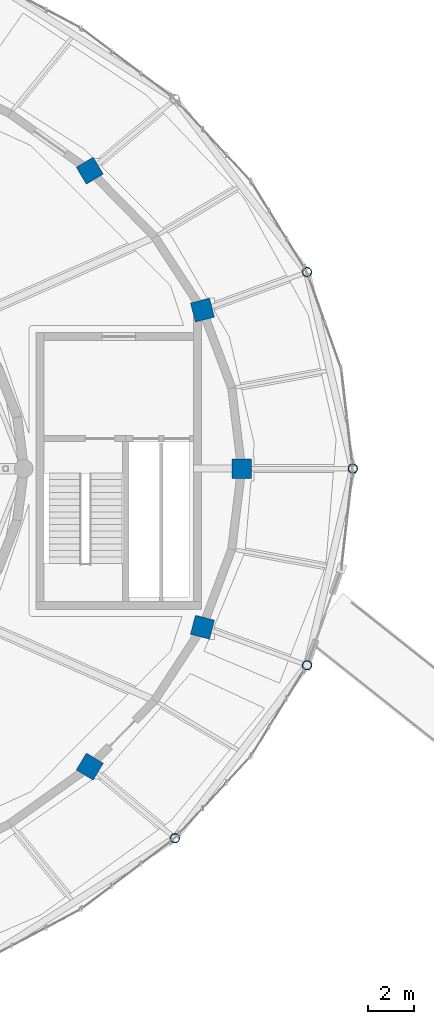
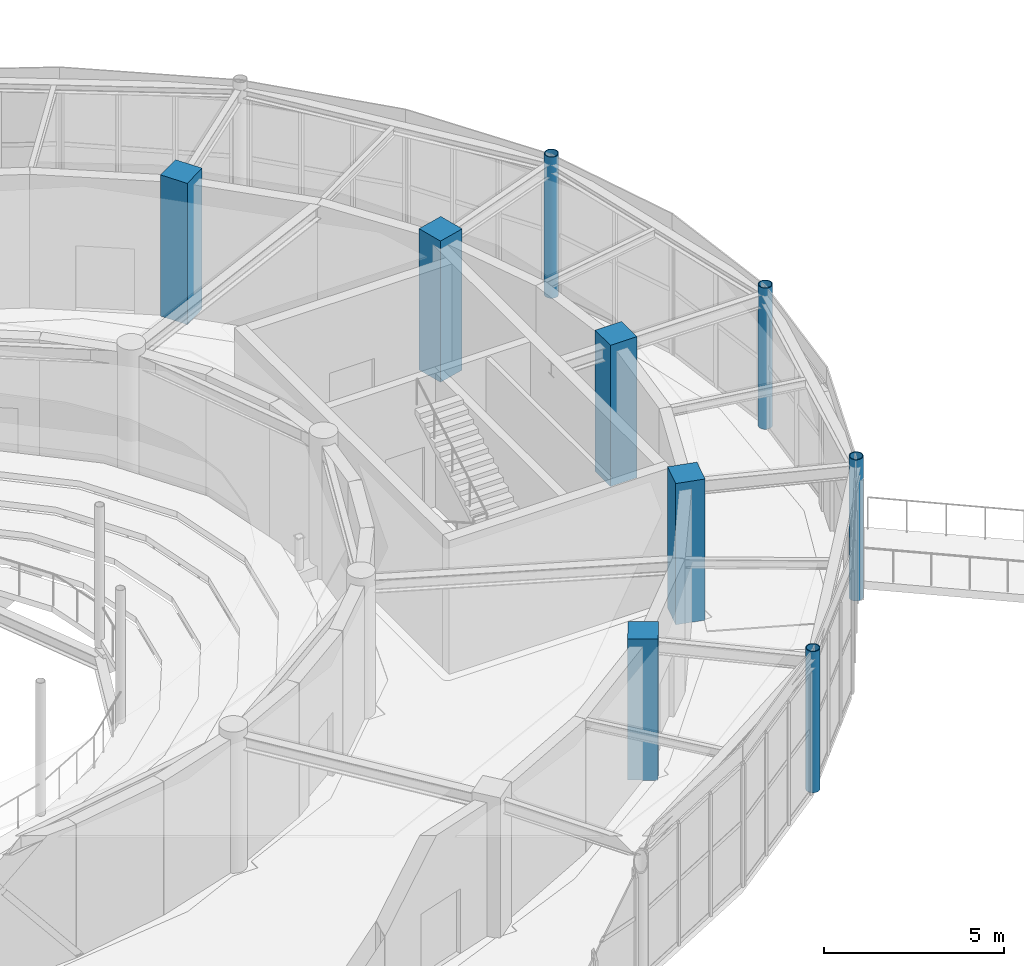
# One storey, part 7 of 100: 9 columns.
"""IFC4 building model written with IfcOpenShell, lengths in metres."""

from ifc_helpers import new_model, si_unit, direction, frame, origin, origin_2d, place, context, subcontext, project, spatial, rectangle, hollow_circle, extrude, material, material_profile, profile_set, type_object, element, save


model = new_model("IFC4")

# Units and contexts
model_context = context("Model", 3, precision=1e-05, world=origin(), true_north=direction((0.0, 1.0)))
body_context = subcontext(model_context, "Body", "Model", "MODEL_VIEW")
ifc_project = project(units=[si_unit("LENGTHUNIT", "METRE"), si_unit("AREAUNIT", "SQUARE_METRE"), si_unit("VOLUMEUNIT", "CUBIC_METRE"), si_unit("PLANEANGLEUNIT", "RADIAN"), si_unit("MASSUNIT", "GRAM", prefix="KILO")], contexts=[model_context])

# Site, building, storey
site_placement = place(None, origin())
site = spatial("IfcSite", under=ifc_project, at=site_placement, CompositionType="ELEMENT")
building_placement = place(site_placement, origin())
building = spatial("IfcBuilding", under=site, at=building_placement, Name="Tarnveldt Headland Concert Hall", CompositionType="ELEMENT")
storey_placement = place(building_placement, frame((0.0, 0.0, 4.800048828125)))
storey = spatial("IfcBuildingStorey", under=building, at=storey_placement, Name="L01", CompositionType="ELEMENT", Elevation=4.800048828125)

# Columns
ifc_material_1 = material(Name="Concrete C40/50", Category="concrete")
ifc_material_profile_1 = material_profile(ifc_material_1, rectangle(XDim=0.85009765625, YDim=0.85009765625, at=origin_2d()), Name="RC 850x850", Category="concrete")
ifc_profile_set_1 = profile_set([ifc_material_profile_1], Name="Concrete C40/50")
column_type_1 = type_object("IfcColumnType", Name="CC-850", PredefinedType="COLUMN", material=ifc_profile_set_1)
for number, where, z_axis, x_axis, name in (
    (1, (111.5, 54.5, 0.0), (0.0, 0.0, 1.0), (1.0, 0.0, 0.0), "Column V2DC01 L01"),
    (2, (109.811279296875, 61.34033203125, 0.0), (0.0, 0.0, 1.0), (0.967841021032, 0.251562632376, 0.0), "Column V2DC02 L01"),
    (3, (104.94921875, 67.355712890625, 0.0), (0.0, 0.0, 1.0), (0.85770617722, 0.514140169175, 0.0), "Column V2DC03 L01"),
    (4, (104.94921875, 41.644287109375, 0.0), (0.0, 0.0, 1.0), (0.85770617722, -0.514140169175, 0.0), "Column V2DC17 L01"),
    (5, (109.811279296875, 47.65966796875, 0.0), (0.0, 0.0, 1.0), (0.967841021032, -0.251562632376, 0.0), "Column V2DC18 L01"),
):
    element("IfcColumn", number, at=place(storey_placement, frame(where, z_axis=z_axis, x_axis=x_axis)), inside=storey, type_object=column_type_1, Name=name, PredefinedType="COLUMN", context=body_context, shape_type="SweptSolid", body=[
        extrude(rectangle(XDim=0.85009765625, YDim=0.85009765625, at=origin_2d()), origin(), (0.0, 0.0, 1.0), 4.800048828125),
    ])
ifc_material_2 = material(Name="Steel S355", Category="steel")
ifc_material_profile_2 = material_profile(ifc_material_2, hollow_circle(Radius=0.203125, WallThickness=0.02490234375, at=origin_2d()), Name="CHS 406.4x25", Category="steel")
ifc_profile_set_2 = profile_set([ifc_material_profile_2], Name="Steel S355")
column_type_2 = type_object("IfcColumnType", Name="SC-CHS406", PredefinedType="COLUMN", material=ifc_profile_set_2)
for number, where, z_axis, x_axis, name in (
    (6, (116.300048828125, 54.5, 0.0), (0.0, 0.0, 1.0), (1.0, 0.0, 0.0), "Column V1C01 L01"),
    (7, (114.322021484375, 62.982177734375, 0.0), (0.0, 0.0, 1.0), (0.964141737836, 0.265387847052, 0.0), "Column V1C02 L01"),
    (8, (108.626220703125, 38.558837890625, 0.0), (0.0, 0.0, 1.0), (0.84442143206, -0.535679423796, 0.0), "Column V1C17 L01"),
    (9, (114.322021484375, 46.017822265625, 0.0), (0.0, 0.0, 1.0), (0.964141737836, -0.265387847052, 0.0), "Column V1C18 L01"),
):
    element("IfcColumn", number, at=place(storey_placement, frame(where, z_axis=z_axis, x_axis=x_axis)), inside=storey, type_object=column_type_2, Name=name, PredefinedType="COLUMN", context=body_context, shape_type="SweptSolid", body=[
        extrude(hollow_circle(Radius=0.203125, WallThickness=0.02490234375, at=origin_2d()), origin(), (0.0, 0.0, 1.0), 4.800048828125),
    ])

save(model, "model.ifc")
